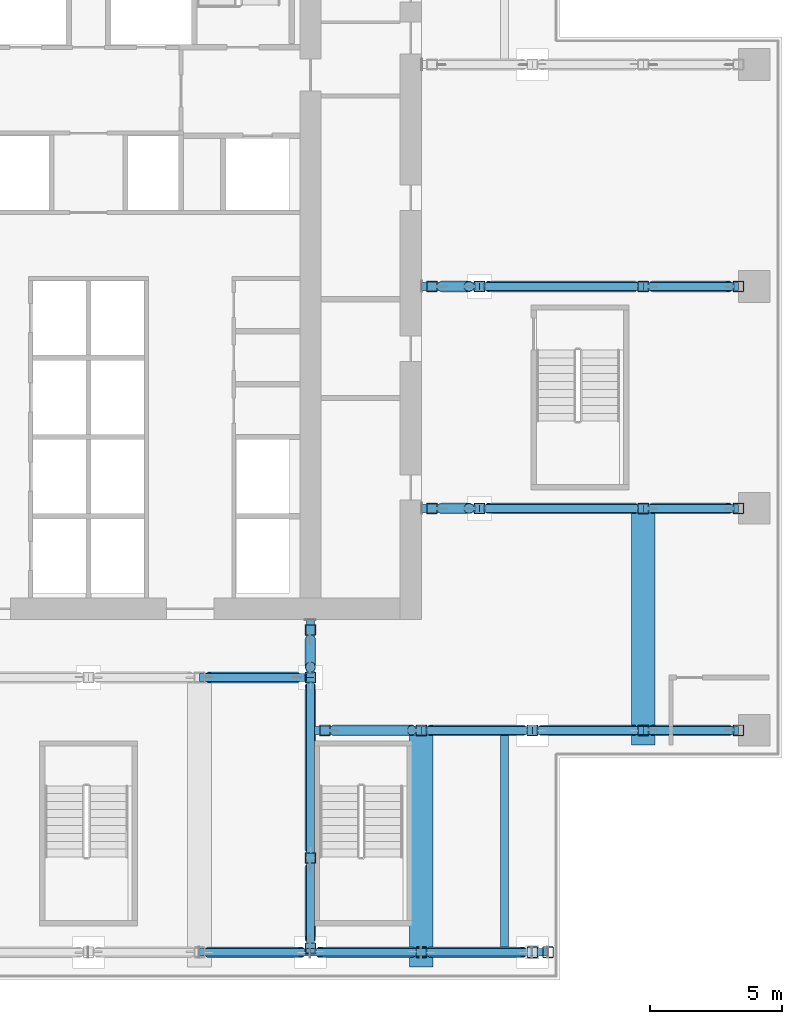
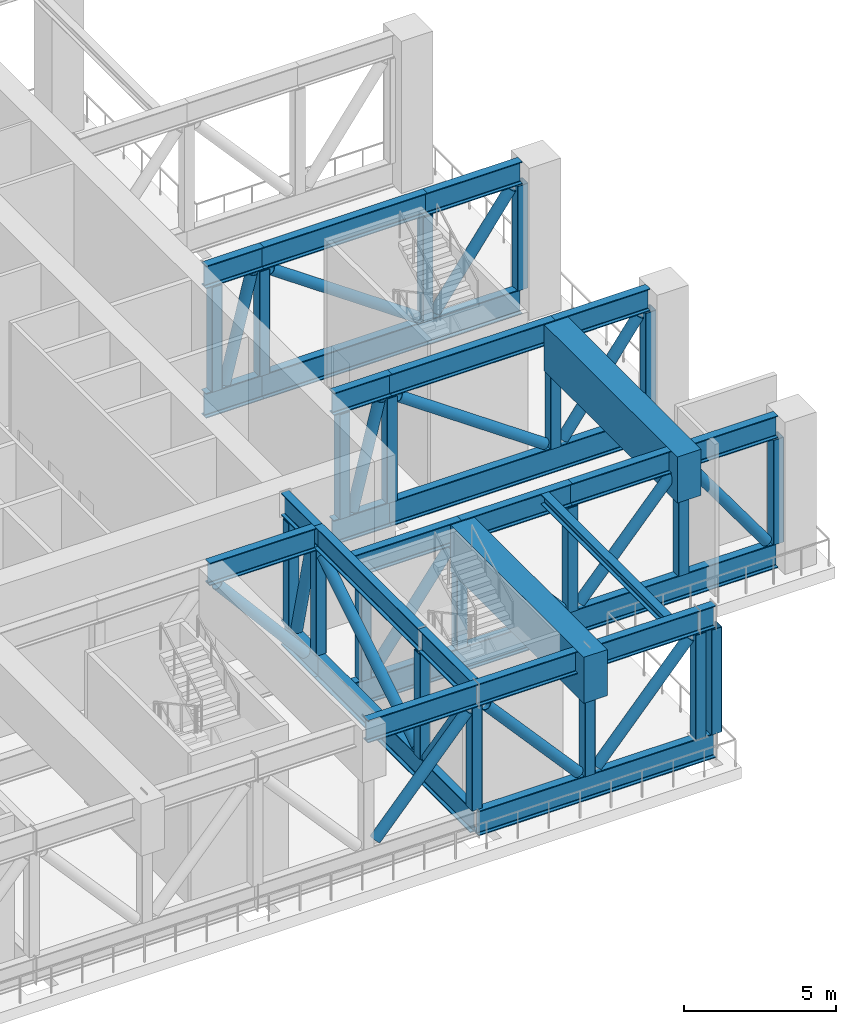
# One storey, part 3 of 23: 64 members, 3 beams.
"""IFC4 building model written with IfcOpenShell, lengths in metres."""

from ifc_helpers import new_model, si_unit, direction, frame, origin, origin_2d, place, context, subcontext, project, spatial, rectangle, hollow_rectangle, hollow_circle, i_section, extrude, material, material_profile, profile_set, type_object, element, save


model = new_model("IFC4")

# Units and contexts
model_context = context("Model", 3, precision=1e-05, world=origin(), true_north=direction((0.0, 1.0)))
body_context = subcontext(model_context, "Body", "Model", "MODEL_VIEW")
ifc_project = project(units=[si_unit("LENGTHUNIT", "METRE"), si_unit("AREAUNIT", "SQUARE_METRE"), si_unit("VOLUMEUNIT", "CUBIC_METRE"), si_unit("PLANEANGLEUNIT", "RADIAN"), si_unit("MASSUNIT", "GRAM", prefix="KILO")], contexts=[model_context])

# Site, building, storey
site_placement = place(None, origin())
site = spatial("IfcSite", under=ifc_project, at=site_placement, CompositionType="ELEMENT")
building_placement = place(site_placement, origin())
building = spatial("IfcBuilding", under=site, at=building_placement, Name="Vermilion Ogive Tower", CompositionType="ELEMENT")
storey_placement = place(building_placement, frame((0.0, 0.0, 121.800048828125)))
storey = spatial("IfcBuildingStorey", under=building, at=storey_placement, Name="L31", CompositionType="ELEMENT", Elevation=121.800048828125)

# Members
ifc_material_1 = material(Name="Steel S355", Category="steel")
ifc_material_profile_1 = material_profile(ifc_material_1, i_section(OverallWidth=0.300048828125, OverallDepth=1.0, WebThickness=0.01904296875, FlangeThickness=0.035888671875, FilletRadius=0.030029296875, at=origin_2d()), Name="HEB 1000")
ifc_profile_set_1 = profile_set([ifc_material_profile_1], Name="Steel S355")
member_type_1 = type_object("IfcMemberType", Name="Outrigger truss bottom chord HEB 1000", PredefinedType="CHORD", material=ifc_profile_set_1)
member_1_placement = place(storey_placement, frame((8.550048828125, -12.60009765625, 0.5), z_axis=(1.0, 0.0, 0.0), x_axis=(0.0, 1.0, 0.0)))
element("IfcMember", 1, at=member_1_placement, inside=storey, type_object=member_type_1, Name="L31-TR-EWE-12.6-B1", PredefinedType="CHORD", context=body_context, shape_type="SweptSolid", body=[
    extrude(i_section(OverallWidth=0.300048828125, OverallDepth=1.0, WebThickness=0.01904296875, FlangeThickness=0.035888671875, FilletRadius=0.030029296875, at=origin_2d()), origin(), (0.0, 0.0, 1.0), 8.25),
])
member_2_placement = place(storey_placement, frame((16.800048828125, -12.60009765625, 0.5), z_axis=(1.0, 0.0, 0.0), x_axis=(0.0, 1.0, 0.0)))
element("IfcMember", 2, at=member_2_placement, inside=storey, type_object=member_type_1, Name="L31-TR-EWE-12.6-B2", PredefinedType="CHORD", context=body_context, shape_type="SweptSolid", body=[
    extrude(i_section(OverallWidth=0.300048828125, OverallDepth=1.0, WebThickness=0.01904296875, FlangeThickness=0.035888671875, FilletRadius=0.030029296875, at=origin_2d()), origin(), (0.0, 0.0, 1.0), 7.800048828125),
])
member_3_placement = place(storey_placement, frame((12.60009765625, -4.199951171875, 0.5), z_axis=(1.0, 0.0, 0.0), x_axis=(0.0, 1.0, 0.0)))
element("IfcMember", 3, at=member_3_placement, inside=storey, type_object=member_type_1, Name="L31-TR-EWE-4.2-B1", PredefinedType="CHORD", context=body_context, shape_type="SweptSolid", body=[
    extrude(i_section(OverallWidth=0.300048828125, OverallDepth=1.0, WebThickness=0.01904296875, FlangeThickness=0.035888671875, FilletRadius=0.030029296875, at=origin_2d()), origin(), (0.0, 0.0, 1.0), 2.199951171875),
])
member_4_placement = place(storey_placement, frame((14.800048828125, -4.199951171875, 0.5), z_axis=(1.0, 0.0, 0.0), x_axis=(0.0, 1.0, 0.0)))
element("IfcMember", 4, at=member_4_placement, inside=storey, type_object=member_type_1, Name="L31-TR-EWE-4.2-B2", PredefinedType="CHORD", context=body_context, shape_type="SweptSolid", body=[
    extrude(i_section(OverallWidth=0.300048828125, OverallDepth=1.0, WebThickness=0.01904296875, FlangeThickness=0.035888671875, FilletRadius=0.030029296875, at=origin_2d()), origin(), (0.0, 0.0, 1.0), 9.800048828125),
])
member_5_placement = place(storey_placement, frame((12.60009765625, 4.199951171875, 0.5), z_axis=(1.0, 0.0, 0.0), x_axis=(0.0, 1.0, 0.0)))
element("IfcMember", 5, at=member_5_placement, inside=storey, type_object=member_type_1, Name="L31-TR-EWE+4.2-B1", PredefinedType="CHORD", context=body_context, shape_type="SweptSolid", body=[
    extrude(i_section(OverallWidth=0.300048828125, OverallDepth=1.0, WebThickness=0.01904296875, FlangeThickness=0.035888671875, FilletRadius=0.030029296875, at=origin_2d()), origin(), (0.0, 0.0, 1.0), 2.199951171875),
])
member_6_placement = place(storey_placement, frame((14.800048828125, 4.199951171875, 0.5), z_axis=(1.0, 0.0, 0.0), x_axis=(0.0, 1.0, 0.0)))
element("IfcMember", 6, at=member_6_placement, inside=storey, type_object=member_type_1, Name="L31-TR-EWE+4.2-B2", PredefinedType="CHORD", context=body_context, shape_type="SweptSolid", body=[
    extrude(i_section(OverallWidth=0.300048828125, OverallDepth=1.0, WebThickness=0.01904296875, FlangeThickness=0.035888671875, FilletRadius=0.030029296875, at=origin_2d()), origin(), (0.0, 0.0, 1.0), 9.800048828125),
])
member_7_placement = place(storey_placement, frame((8.39990234375, -8.39990234375, 0.5), z_axis=(0.0, -1.0, 0.0), x_axis=(1.0, 0.0, 0.0)))
element("IfcMember", 7, at=member_7_placement, inside=storey, type_object=member_type_1, Name="L31-TR-NS+8.4-B1", PredefinedType="CHORD", context=body_context, shape_type="SweptSolid", body=[
    extrude(i_section(OverallWidth=0.300048828125, OverallDepth=1.0, WebThickness=0.01904296875, FlangeThickness=0.035888671875, FilletRadius=0.030029296875, at=origin_2d()), origin(), (0.0, 0.0, 1.0), 2.2001953125),
])
member_8_placement = place(storey_placement, frame((8.39990234375, -10.60009765625, 0.5), z_axis=(0.0, -1.0, 0.0), x_axis=(1.0, 0.0, 0.0)))
element("IfcMember", 8, at=member_8_placement, inside=storey, type_object=member_type_1, Name="L31-TR-NS+8.4-B2", PredefinedType="CHORD", context=body_context, shape_type="SweptSolid", body=[
    extrude(i_section(OverallWidth=0.300048828125, OverallDepth=1.0, WebThickness=0.01904296875, FlangeThickness=0.035888671875, FilletRadius=0.030029296875, at=origin_2d()), origin(), (0.0, 0.0, 1.0), 10.25),
])
member_9_placement = place(storey_placement, frame((8.39990234375, -21.0, 0.5), z_axis=(1.0, 0.0, 0.0), x_axis=(0.0, 1.0, 0.0)))
element("IfcMember", 9, at=member_9_placement, inside=storey, type_object=member_type_1, Name="L31-TR-BELT-B5", PredefinedType="CHORD", context=body_context, shape_type="SweptSolid", body=[
    extrude(i_section(OverallWidth=0.300048828125, OverallDepth=1.0, WebThickness=0.01904296875, FlangeThickness=0.035888671875, FilletRadius=0.030029296875, at=origin_2d()), origin(), (0.0, 0.0, 1.0), 9.0),
])
ifc_material_2 = material(Name="Steel S355", Category="steel")
ifc_material_profile_2 = material_profile(ifc_material_2, hollow_circle(Radius=0.203125, WallThickness=0.01611328125, at=origin_2d()), Name="CHS 406.4x16")
ifc_profile_set_2 = profile_set([ifc_material_profile_2], Name="Steel S355")
member_type_2 = type_object("IfcMemberType", Name="Outrigger truss diagonal CHS 406.4x16", PredefinedType="BRACE", material=ifc_profile_set_2)
member_10_placement = place(storey_placement, frame((9.310302734375, -12.60009765625, 1.123779296875), z_axis=(0.595456577435, 0.0, 0.803387493299), x_axis=(0.0, 1.0, 0.0)))
element("IfcMember", 10, at=member_10_placement, inside=storey, type_object=member_type_2, Name="L31-TR-EWE-12.6-D0", PredefinedType="BRACE", context=body_context, shape_type="SweptSolid", body=[
    extrude(hollow_circle(Radius=0.203125, WallThickness=0.01611328125, at=origin_2d()), origin(), (0.0, 0.0, 1.0), 4.919677734375),
])
for number, where, z_axis, x_axis, name in (
    (11, (12.9501953125, -12.60009765625, 5.064208984375), (0.665164177716, 0.0, -0.746697138526), (0.0, 1.0, 0.0), "L31-TR-EWE-12.6-D1"),
    (12, (17.150146484375, -12.60009765625, 1.1357421875), (0.665190049735, 0.0, 0.746674090707), (0.0, 1.0, 0.0), "L31-TR-EWE-12.6-D2"),
):
    element("IfcMember", number, at=place(storey_placement, frame(where, z_axis=z_axis, x_axis=x_axis)), inside=storey, type_object=member_type_2, Name=name, PredefinedType="BRACE", context=body_context, shape_type="SweptSolid", body=[
        extrude(hollow_circle(Radius=0.203125, WallThickness=0.01611328125, at=origin_2d()), origin(), (0.0, 0.0, 1.0), 5.26123046875),
    ])
member_11_placement = place(storey_placement, frame((21.361083984375, -12.60009765625, 5.077392578125), z_axis=(0.588364601079, 0.0, -0.808595755738), x_axis=(0.0, 1.0, 0.0)))
element("IfcMember", 13, at=member_11_placement, inside=storey, type_object=member_type_2, Name="L31-TR-EWE-12.6-D3", PredefinedType="BRACE", context=body_context, shape_type="SweptSolid", body=[
    extrude(hollow_circle(Radius=0.203125, WallThickness=0.01611328125, at=origin_2d()), origin(), (0.0, 0.0, 1.0), 4.890869140625),
])
member_12_placement = place(storey_placement, frame((13.392333984375, -4.199951171875, 1.063720703125), z_axis=(0.241919682312, 0.0, 0.970296278108), x_axis=(0.0, 1.0, 0.0)))
element("IfcMember", 14, at=member_12_placement, inside=storey, type_object=member_type_2, Name="L31-TR-EWE-4.2-D0", PredefinedType="BRACE", context=body_context, shape_type="SweptSolid", body=[
    extrude(hollow_circle(Radius=0.203125, WallThickness=0.01611328125, at=origin_2d()), origin(), (0.0, 0.0, 1.0), 4.197265625),
])
member_13_placement = place(storey_placement, frame((15.11865234375, -4.199951171875, 5.035888671875), z_axis=(0.820760536929, 0.0, -0.571272387762), x_axis=(0.0, 1.0, 0.0)))
element("IfcMember", 15, at=member_13_placement, inside=storey, type_object=member_type_2, Name="L31-TR-EWE-4.2-D1", PredefinedType="BRACE", context=body_context, shape_type="SweptSolid", body=[
    extrude(hollow_circle(Radius=0.203125, WallThickness=0.01611328125, at=origin_2d()), origin(), (0.0, 0.0, 1.0), 6.777587890625),
])
member_14_placement = place(storey_placement, frame((21.361083984375, -4.199951171875, 1.12255859375), z_axis=(0.588364601079, 0.0, 0.808595755738), x_axis=(0.0, 1.0, 0.0)))
element("IfcMember", 16, at=member_14_placement, inside=storey, type_object=member_type_2, Name="L31-TR-EWE-4.2-D2", PredefinedType="BRACE", context=body_context, shape_type="SweptSolid", body=[
    extrude(hollow_circle(Radius=0.203125, WallThickness=0.01611328125, at=origin_2d()), origin(), (0.0, 0.0, 1.0), 4.890869140625),
])
member_15_placement = place(storey_placement, frame((13.392333984375, 4.199951171875, 1.063720703125), z_axis=(0.241919682312, 0.0, 0.970296278108), x_axis=(0.0, 1.0, 0.0)))
element("IfcMember", 17, at=member_15_placement, inside=storey, type_object=member_type_2, Name="L31-TR-EWE+4.2-D0", PredefinedType="BRACE", context=body_context, shape_type="SweptSolid", body=[
    extrude(hollow_circle(Radius=0.203125, WallThickness=0.01611328125, at=origin_2d()), origin(), (0.0, 0.0, 1.0), 4.197265625),
])
member_16_placement = place(storey_placement, frame((15.11865234375, 4.199951171875, 5.035888671875), z_axis=(0.820760536929, 0.0, -0.571272387762), x_axis=(0.0, 1.0, 0.0)))
element("IfcMember", 18, at=member_16_placement, inside=storey, type_object=member_type_2, Name="L31-TR-EWE+4.2-D1", PredefinedType="BRACE", context=body_context, shape_type="SweptSolid", body=[
    extrude(hollow_circle(Radius=0.203125, WallThickness=0.01611328125, at=origin_2d()), origin(), (0.0, 0.0, 1.0), 6.777587890625),
])
member_17_placement = place(storey_placement, frame((21.361083984375, 4.199951171875, 1.12255859375), z_axis=(0.588364601079, 0.0, 0.808595755738), x_axis=(0.0, 1.0, 0.0)))
element("IfcMember", 19, at=member_17_placement, inside=storey, type_object=member_type_2, Name="L31-TR-EWE+4.2-D2", PredefinedType="BRACE", context=body_context, shape_type="SweptSolid", body=[
    extrude(hollow_circle(Radius=0.203125, WallThickness=0.01611328125, at=origin_2d()), origin(), (0.0, 0.0, 1.0), 4.890869140625),
])
member_18_placement = place(storey_placement, frame((8.39990234375, -9.1923828125, 1.063720703125), z_axis=(0.0, -0.241919682312, 0.970296278108), x_axis=(1.0, 0.0, 0.0)))
element("IfcMember", 20, at=member_18_placement, inside=storey, type_object=member_type_2, Name="L31-TR-NS+8.4-D0", PredefinedType="BRACE", context=body_context, shape_type="SweptSolid", body=[
    extrude(hollow_circle(Radius=0.203125, WallThickness=0.01611328125, at=origin_2d()), origin(), (0.0, 0.0, 1.0), 4.197265625),
])
member_19_placement = place(storey_placement, frame((8.39990234375, -10.91064453125, 5.0302734375), z_axis=(0.0, -0.84934761182, -0.527833907868), x_axis=(1.0, 0.0, 0.0)))
element("IfcMember", 21, at=member_19_placement, inside=storey, type_object=member_type_2, Name="L31-TR-NS+8.4-D1", PredefinedType="BRACE", context=body_context, shape_type="SweptSolid", body=[
    extrude(hollow_circle(Radius=0.203125, WallThickness=0.01611328125, at=origin_2d()), origin(), (0.0, 0.0, 1.0), 7.31396484375),
])
member_20_placement = place(storey_placement, frame((8.39990234375, -17.7978515625, 1.117919921875), z_axis=(0.0, -0.561153568356, 0.827711708702), x_axis=(1.0, 0.0, 0.0)))
element("IfcMember", 22, at=member_20_placement, inside=storey, type_object=member_type_2, Name="L31-TR-NS+8.4-D2", PredefinedType="BRACE", context=body_context, shape_type="SweptSolid", body=[
    extrude(hollow_circle(Radius=0.203125, WallThickness=0.01611328125, at=origin_2d()), origin(), (0.0, 0.0, 1.0), 4.789306640625),
])
for number, where, z_axis, x_axis, name in (
    (23, (4.55029296875, -21.0, 1.1357421875), (0.665164177716, 0.0, 0.746697138526), (0.0, 1.0, 0.0), "L31-TR-BELT-D6"),
    (24, (8.750244140625, -21.0, 5.064208984375), (0.665164177716, 0.0, -0.746697138526), (0.0, 1.0, 0.0), "L31-TR-BELT-D7"),
    (25, (12.9501953125, -21.0, 1.1357421875), (0.665164177716, 0.0, 0.746697138526), (0.0, 1.0, 0.0), "L31-TR-BELT-D8"),
):
    element("IfcMember", number, at=place(storey_placement, frame(where, z_axis=z_axis, x_axis=x_axis)), inside=storey, type_object=member_type_2, Name=name, PredefinedType="BRACE", context=body_context, shape_type="SweptSolid", body=[
        extrude(hollow_circle(Radius=0.203125, WallThickness=0.01611328125, at=origin_2d()), origin(), (0.0, 0.0, 1.0), 5.26123046875),
    ])
member_21_placement = place(storey_placement, frame((4.552978515625, -10.60009765625, 5.067138671875), z_axis=(0.647655282335, 0.0, -0.761933484803), x_axis=(0.0, 1.0, 0.0)))
element("IfcMember", 26, at=member_21_placement, inside=storey, type_object=member_type_2, Name="L31-TR-RING0-D3", PredefinedType="BRACE", context=body_context, shape_type="SweptSolid", body=[
    extrude(hollow_circle(Radius=0.203125, WallThickness=0.01611328125, at=origin_2d()), origin(), (0.0, 0.0, 1.0), 5.16357421875),
])
ifc_material_3 = material(Name="Steel S355", Category="steel")
ifc_material_profile_3 = material_profile(ifc_material_3, hollow_rectangle(XDim=0.39990234375, YDim=0.39990234375, WallThickness=0.01611328125, InnerFilletRadius=0.01611328125, OuterFilletRadius=0.02392578125, at=origin_2d()), Name="RHS 400x400x16")
ifc_profile_set_3 = profile_set([ifc_material_profile_3], Name="Steel S355")
member_type_3 = type_object("IfcMemberType", Name="Outrigger truss post RHS 400x400x16", PredefinedType="POST", material=ifc_profile_set_3)
for number, where, z_axis, x_axis, name in (
    (27, (8.949951171875, -12.60009765625, 1.0), (0.0, 0.0, 1.0), (1.0, 0.0, 0.0), "L31-TR-EWE-12.6-P0"),
    (28, (12.60009765625, -12.60009765625, 1.0), (0.0, 0.0, 1.0), (1.0, 0.0, 0.0), "L31-TR-EWE-12.6-P1"),
    (29, (16.800048828125, -12.60009765625, 1.0), (0.0, 0.0, 1.0), (1.0, 0.0, 0.0), "L31-TR-EWE-12.6-P2"),
    (30, (21.0, -12.60009765625, 1.0), (0.0, 0.0, 1.0), (1.0, 0.0, 0.0), "L31-TR-EWE-12.6-P3"),
    (31, (24.60009765625, -12.60009765625, 1.0), (0.0, 0.0, 1.0), (1.0, 0.0, 0.0), "L31-TR-EWE-12.6-P4"),
    (32, (13.0, -4.199951171875, 1.0), (0.0, 0.0, 1.0), (1.0, 0.0, 0.0), "L31-TR-EWE-4.2-P0"),
    (33, (14.800048828125, -4.199951171875, 1.0), (0.0, 0.0, 1.0), (1.0, 0.0, 0.0), "L31-TR-EWE-4.2-P1"),
    (34, (21.0, -4.199951171875, 1.0), (0.0, 0.0, 1.0), (1.0, 0.0, 0.0), "L31-TR-EWE-4.2-P2"),
    (35, (24.60009765625, -4.199951171875, 1.0), (0.0, 0.0, 1.0), (1.0, 0.0, 0.0), "L31-TR-EWE-4.2-P3"),
    (36, (13.0, 4.199951171875, 1.0), (0.0, 0.0, 1.0), (1.0, 0.0, 0.0), "L31-TR-EWE+4.2-P0"),
    (37, (14.800048828125, 4.199951171875, 1.0), (0.0, 0.0, 1.0), (1.0, 0.0, 0.0), "L31-TR-EWE+4.2-P1"),
    (38, (21.0, 4.199951171875, 1.0), (0.0, 0.0, 1.0), (1.0, 0.0, 0.0), "L31-TR-EWE+4.2-P2"),
    (39, (24.60009765625, 4.199951171875, 1.0), (0.0, 0.0, 1.0), (1.0, 0.0, 0.0), "L31-TR-EWE+4.2-P3"),
    (40, (8.39990234375, -8.800048828125, 1.0), (0.0, 0.0, 1.0), (1.0, 0.0, 0.0), "L31-TR-NS+8.4-P0"),
    (41, (8.39990234375, -10.60009765625, 1.0), (0.0, 0.0, 1.0), (1.0, 0.0, 0.0), "L31-TR-NS+8.4-P1"),
    (42, (8.39990234375, -17.433349609375, 1.0), (0.0, 0.0, 1.0), (1.0, 0.0, 0.0), "L31-TR-NS+8.4-P2"),
    (43, (8.39990234375, -20.85009765625, 1.0), (0.0, 0.0, 1.0), (1.0, 0.0, 0.0), "L31-TR-NS+8.4-P3"),
    (44, (12.60009765625, -21.0, 1.0), (0.0, 0.0, 1.0), (1.0, 0.0, 0.0), "L31-TR-BELT-P8"),
    (45, (16.800048828125, -21.0, 1.0), (0.0, 0.0, 1.0), (1.0, 0.0, 0.0), "L31-TR-BELT-P9"),
    (46, (17.39990234375, -21.0, 1.0), (0.0, 0.0, 1.0), (1.0, 0.0, 0.0), "L31-TR-BELT-P10"),
):
    element("IfcMember", number, at=place(storey_placement, frame(where, z_axis=z_axis, x_axis=x_axis)), inside=storey, type_object=member_type_3, Name=name, PredefinedType="POST", context=body_context, shape_type="SweptSolid", body=[
        extrude(hollow_rectangle(XDim=0.39990234375, YDim=0.39990234375, WallThickness=0.01611328125, InnerFilletRadius=0.01611328125, OuterFilletRadius=0.02392578125, at=origin_2d()), origin(), (0.0, 0.0, 1.0), 4.199951171875),
    ])
ifc_material_4 = material(Name="Steel S355", Category="steel")
ifc_material_profile_4 = material_profile(ifc_material_4, i_section(OverallWidth=0.300048828125, OverallDepth=0.89990234375, WebThickness=0.0185546875, FlangeThickness=0.034912109375, FilletRadius=0.030029296875, at=origin_2d()), Name="HEB 900")
ifc_profile_set_4 = profile_set([ifc_material_profile_4], Name="Steel S355")
member_type_4 = type_object("IfcMemberType", Name="Outrigger truss top chord HEB 900", PredefinedType="CHORD", material=ifc_profile_set_4)
member_22_placement = place(storey_placement, frame((8.550048828125, -12.60009765625, 5.64990234375), z_axis=(1.0, 0.0, 0.0), x_axis=(0.0, 1.0, 0.0)))
element("IfcMember", 47, at=member_22_placement, inside=storey, type_object=member_type_4, Name="L31-TR-EWE-12.6-T3", PredefinedType="CHORD", context=body_context, shape_type="SweptSolid", body=[
    extrude(i_section(OverallWidth=0.300048828125, OverallDepth=0.89990234375, WebThickness=0.0185546875, FlangeThickness=0.034912109375, FilletRadius=0.030029296875, at=origin_2d()), origin(), (0.0, 0.0, 1.0), 4.050048828125),
])
for number, where, z_axis, x_axis, name in (
    (48, (12.60009765625, -12.60009765625, 5.64990234375), (1.0, 0.0, 0.0), (0.0, 1.0, 0.0), "L31-TR-EWE-12.6-T4"),
    (49, (16.800048828125, -12.60009765625, 5.64990234375), (1.0, 0.0, 0.0), (0.0, 1.0, 0.0), "L31-TR-EWE-12.6-T5"),
):
    element("IfcMember", number, at=place(storey_placement, frame(where, z_axis=z_axis, x_axis=x_axis)), inside=storey, type_object=member_type_4, Name=name, PredefinedType="CHORD", context=body_context, shape_type="SweptSolid", body=[
        extrude(i_section(OverallWidth=0.300048828125, OverallDepth=0.89990234375, WebThickness=0.0185546875, FlangeThickness=0.034912109375, FilletRadius=0.030029296875, at=origin_2d()), origin(), (0.0, 0.0, 1.0), 4.199951171875),
    ])
member_23_placement = place(storey_placement, frame((21.0, -12.60009765625, 5.64990234375), z_axis=(1.0, 0.0, 0.0), x_axis=(0.0, 1.0, 0.0)))
element("IfcMember", 50, at=member_23_placement, inside=storey, type_object=member_type_4, Name="L31-TR-EWE-12.6-T6", PredefinedType="CHORD", context=body_context, shape_type="SweptSolid", body=[
    extrude(i_section(OverallWidth=0.300048828125, OverallDepth=0.89990234375, WebThickness=0.0185546875, FlangeThickness=0.034912109375, FilletRadius=0.030029296875, at=origin_2d()), origin(), (0.0, 0.0, 1.0), 3.60009765625),
])
member_24_placement = place(storey_placement, frame((12.60009765625, -4.199951171875, 5.64990234375), z_axis=(1.0, 0.0, 0.0), x_axis=(0.0, 1.0, 0.0)))
element("IfcMember", 51, at=member_24_placement, inside=storey, type_object=member_type_4, Name="L31-TR-EWE-4.2-T3", PredefinedType="CHORD", context=body_context, shape_type="SweptSolid", body=[
    extrude(i_section(OverallWidth=0.300048828125, OverallDepth=0.89990234375, WebThickness=0.0185546875, FlangeThickness=0.034912109375, FilletRadius=0.030029296875, at=origin_2d()), origin(), (0.0, 0.0, 1.0), 2.199951171875),
])
member_25_placement = place(storey_placement, frame((14.800048828125, -4.199951171875, 5.64990234375), z_axis=(1.0, 0.0, 0.0), x_axis=(0.0, 1.0, 0.0)))
element("IfcMember", 52, at=member_25_placement, inside=storey, type_object=member_type_4, Name="L31-TR-EWE-4.2-T4", PredefinedType="CHORD", context=body_context, shape_type="SweptSolid", body=[
    extrude(i_section(OverallWidth=0.300048828125, OverallDepth=0.89990234375, WebThickness=0.0185546875, FlangeThickness=0.034912109375, FilletRadius=0.030029296875, at=origin_2d()), origin(), (0.0, 0.0, 1.0), 6.199951171875),
])
member_26_placement = place(storey_placement, frame((21.0, -4.199951171875, 5.64990234375), z_axis=(1.0, 0.0, 0.0), x_axis=(0.0, 1.0, 0.0)))
element("IfcMember", 53, at=member_26_placement, inside=storey, type_object=member_type_4, Name="L31-TR-EWE-4.2-T5", PredefinedType="CHORD", context=body_context, shape_type="SweptSolid", body=[
    extrude(i_section(OverallWidth=0.300048828125, OverallDepth=0.89990234375, WebThickness=0.0185546875, FlangeThickness=0.034912109375, FilletRadius=0.030029296875, at=origin_2d()), origin(), (0.0, 0.0, 1.0), 3.60009765625),
])
member_27_placement = place(storey_placement, frame((12.60009765625, 4.199951171875, 5.64990234375), z_axis=(1.0, 0.0, 0.0), x_axis=(0.0, 1.0, 0.0)))
element("IfcMember", 54, at=member_27_placement, inside=storey, type_object=member_type_4, Name="L31-TR-EWE+4.2-T3", PredefinedType="CHORD", context=body_context, shape_type="SweptSolid", body=[
    extrude(i_section(OverallWidth=0.300048828125, OverallDepth=0.89990234375, WebThickness=0.0185546875, FlangeThickness=0.034912109375, FilletRadius=0.030029296875, at=origin_2d()), origin(), (0.0, 0.0, 1.0), 2.199951171875),
])
member_28_placement = place(storey_placement, frame((14.800048828125, 4.199951171875, 5.64990234375), z_axis=(1.0, 0.0, 0.0), x_axis=(0.0, 1.0, 0.0)))
element("IfcMember", 55, at=member_28_placement, inside=storey, type_object=member_type_4, Name="L31-TR-EWE+4.2-T4", PredefinedType="CHORD", context=body_context, shape_type="SweptSolid", body=[
    extrude(i_section(OverallWidth=0.300048828125, OverallDepth=0.89990234375, WebThickness=0.0185546875, FlangeThickness=0.034912109375, FilletRadius=0.030029296875, at=origin_2d()), origin(), (0.0, 0.0, 1.0), 6.199951171875),
])
member_29_placement = place(storey_placement, frame((21.0, 4.199951171875, 5.64990234375), z_axis=(1.0, 0.0, 0.0), x_axis=(0.0, 1.0, 0.0)))
element("IfcMember", 56, at=member_29_placement, inside=storey, type_object=member_type_4, Name="L31-TR-EWE+4.2-T5", PredefinedType="CHORD", context=body_context, shape_type="SweptSolid", body=[
    extrude(i_section(OverallWidth=0.300048828125, OverallDepth=0.89990234375, WebThickness=0.0185546875, FlangeThickness=0.034912109375, FilletRadius=0.030029296875, at=origin_2d()), origin(), (0.0, 0.0, 1.0), 3.60009765625),
])
member_30_placement = place(storey_placement, frame((8.39990234375, -8.39990234375, 5.64990234375), z_axis=(0.0, -1.0, 0.0), x_axis=(1.0, 0.0, 0.0)))
element("IfcMember", 57, at=member_30_placement, inside=storey, type_object=member_type_4, Name="L31-TR-NS+8.4-T3", PredefinedType="CHORD", context=body_context, shape_type="SweptSolid", body=[
    extrude(i_section(OverallWidth=0.300048828125, OverallDepth=0.89990234375, WebThickness=0.0185546875, FlangeThickness=0.034912109375, FilletRadius=0.030029296875, at=origin_2d()), origin(), (0.0, 0.0, 1.0), 2.2001953125),
])
member_31_placement = place(storey_placement, frame((8.39990234375, -10.60009765625, 5.64990234375), z_axis=(0.0, -1.0, 0.0), x_axis=(1.0, 0.0, 0.0)))
element("IfcMember", 58, at=member_31_placement, inside=storey, type_object=member_type_4, Name="L31-TR-NS+8.4-T4", PredefinedType="CHORD", context=body_context, shape_type="SweptSolid", body=[
    extrude(i_section(OverallWidth=0.300048828125, OverallDepth=0.89990234375, WebThickness=0.0185546875, FlangeThickness=0.034912109375, FilletRadius=0.030029296875, at=origin_2d()), origin(), (0.0, 0.0, 1.0), 6.833251953125),
])
member_32_placement = place(storey_placement, frame((8.39990234375, -17.433349609375, 5.64990234375), z_axis=(0.0, -1.0, 0.0), x_axis=(1.0, 0.0, 0.0)))
element("IfcMember", 59, at=member_32_placement, inside=storey, type_object=member_type_4, Name="L31-TR-NS+8.4-T5", PredefinedType="CHORD", context=body_context, shape_type="SweptSolid", body=[
    extrude(i_section(OverallWidth=0.300048828125, OverallDepth=0.89990234375, WebThickness=0.0185546875, FlangeThickness=0.034912109375, FilletRadius=0.030029296875, at=origin_2d()), origin(), (0.0, 0.0, 1.0), 3.416748046875),
])
member_33_placement = place(storey_placement, frame((4.199951171875, -21.0, 5.64990234375), z_axis=(1.0, 0.0, 0.0), x_axis=(0.0, 1.0, 0.0)))
element("IfcMember", 60, at=member_33_placement, inside=storey, type_object=member_type_4, Name="L31-TR-BELT-T12", PredefinedType="CHORD", context=body_context, shape_type="SweptSolid", body=[
    extrude(i_section(OverallWidth=0.300048828125, OverallDepth=0.89990234375, WebThickness=0.0185546875, FlangeThickness=0.034912109375, FilletRadius=0.030029296875, at=origin_2d()), origin(), (0.0, 0.0, 1.0), 4.199951171875),
])
member_34_placement = place(storey_placement, frame((8.39990234375, -21.0, 5.64990234375), z_axis=(1.0, 0.0, 0.0), x_axis=(0.0, 1.0, 0.0)))
element("IfcMember", 61, at=member_34_placement, inside=storey, type_object=member_type_4, Name="L31-TR-BELT-T13", PredefinedType="CHORD", context=body_context, shape_type="SweptSolid", body=[
    extrude(i_section(OverallWidth=0.300048828125, OverallDepth=0.89990234375, WebThickness=0.0185546875, FlangeThickness=0.034912109375, FilletRadius=0.030029296875, at=origin_2d()), origin(), (0.0, 0.0, 1.0), 4.2001953125),
])
member_35_placement = place(storey_placement, frame((12.60009765625, -21.0, 5.64990234375), z_axis=(1.0, 0.0, 0.0), x_axis=(0.0, 1.0, 0.0)))
element("IfcMember", 62, at=member_35_placement, inside=storey, type_object=member_type_4, Name="L31-TR-BELT-T14", PredefinedType="CHORD", context=body_context, shape_type="SweptSolid", body=[
    extrude(i_section(OverallWidth=0.300048828125, OverallDepth=0.89990234375, WebThickness=0.0185546875, FlangeThickness=0.034912109375, FilletRadius=0.030029296875, at=origin_2d()), origin(), (0.0, 0.0, 1.0), 4.199951171875),
])
member_36_placement = place(storey_placement, frame((16.800048828125, -21.0, 5.64990234375), z_axis=(1.0, 0.0, 0.0), x_axis=(0.0, 1.0, 0.0)))
element("IfcMember", 63, at=member_36_placement, inside=storey, type_object=member_type_4, Name="L31-TR-BELT-T15", PredefinedType="CHORD", context=body_context, shape_type="SweptSolid", body=[
    extrude(i_section(OverallWidth=0.300048828125, OverallDepth=0.89990234375, WebThickness=0.0185546875, FlangeThickness=0.034912109375, FilletRadius=0.030029296875, at=origin_2d()), origin(), (0.0, 0.0, 1.0), 0.599853515625),
])
member_37_placement = place(storey_placement, frame((4.199951171875, -10.60009765625, 5.64990234375), z_axis=(1.0, 0.0, 0.0), x_axis=(0.0, 1.0, 0.0)))
element("IfcMember", 64, at=member_37_placement, inside=storey, type_object=member_type_4, Name="L31-TR-RING0-T6", PredefinedType="CHORD", context=body_context, shape_type="SweptSolid", body=[
    extrude(i_section(OverallWidth=0.300048828125, OverallDepth=0.89990234375, WebThickness=0.0185546875, FlangeThickness=0.034912109375, FilletRadius=0.030029296875, at=origin_2d()), origin(), (0.0, 0.0, 1.0), 4.050048828125),
])

# Beams
ifc_material_5 = material(Name="Steel S355", Category="steel")
ifc_material_profile_5 = material_profile(ifc_material_5, i_section(OverallWidth=0.300048828125, OverallDepth=0.39990234375, WebThickness=0.013427734375, FlangeThickness=0.02392578125, FilletRadius=0.027099609375, at=origin_2d()), Name="HEB 400")
ifc_profile_set_5 = profile_set([ifc_material_profile_5], Name="Steel S355")
beam_type_1 = type_object("IfcBeamType", Name="Terrace beam HEB 400", PredefinedType="BEAM", material=ifc_profile_set_5)
beam_placement = place(storey_placement, frame((15.75, -20.85009765625, 5.89990234375), z_axis=(0.0, 1.0, 0.0), x_axis=(-1.0, 0.0, 0.0)))
element("IfcBeam", 65, at=beam_placement, inside=storey, type_object=beam_type_1, Name="L31-TB-6", PredefinedType="BEAM", context=body_context, shape_type="SweptSolid", body=[
    extrude(i_section(OverallWidth=0.300048828125, OverallDepth=0.39990234375, WebThickness=0.013427734375, FlangeThickness=0.02392578125, FilletRadius=0.027099609375, at=origin_2d()), origin(), (0.0, 0.0, 1.0), 8.10009765625),
])
ifc_material_6 = material(Name="Concrete B60", Category="concrete")
ifc_material_profile_6 = material_profile(ifc_material_6, rectangle(XDim=0.89990234375, YDim=1.85009765625, at=origin_2d()), Name="900 x 1850")
ifc_profile_set_6 = profile_set([ifc_material_profile_6], Name="Concrete B60")
beam_type_2 = type_object("IfcBeamType", Name="Transfer girder 900 x 1850 B60", PredefinedType="BEAM", material=ifc_profile_set_6)
for number, where, z_axis, x_axis, name in (
    (66, (12.60009765625, -21.550048828125, 5.175048828125), (0.0, 1.0, 0.0), (-1.0, 0.0, 0.0), "L31-TG-4"),
    (67, (21.0, -13.14990234375, 5.175048828125), (0.0, 1.0, 0.0), (-1.0, 0.0, 0.0), "L31-TG-6"),
):
    element("IfcBeam", number, at=place(storey_placement, frame(where, z_axis=z_axis, x_axis=x_axis)), inside=storey, type_object=beam_type_2, Name=name, PredefinedType="BEAM", context=body_context, shape_type="SweptSolid", body=[
        extrude(rectangle(XDim=0.89990234375, YDim=1.85009765625, at=origin_2d()), origin(), (0.0, 0.0, 1.0), 8.75),
    ])

save(model, "model.ifc")
